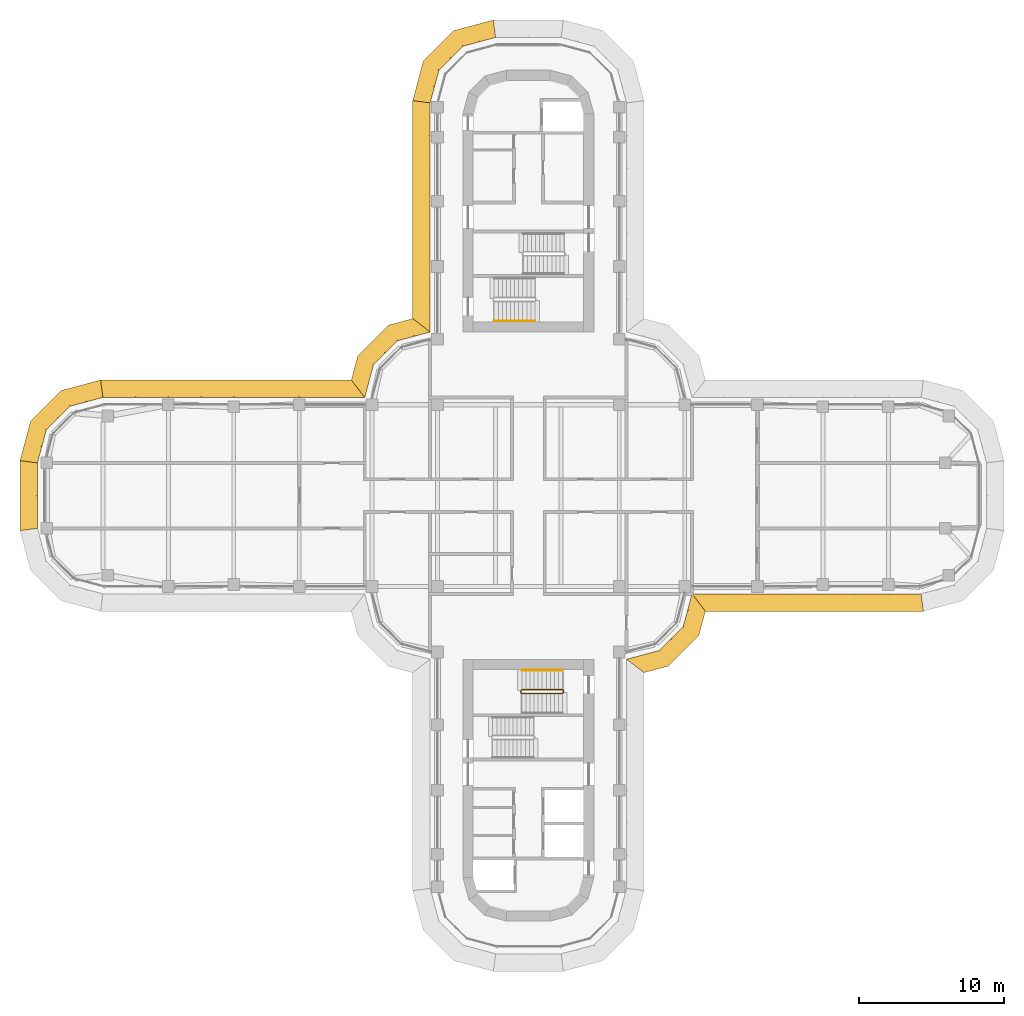
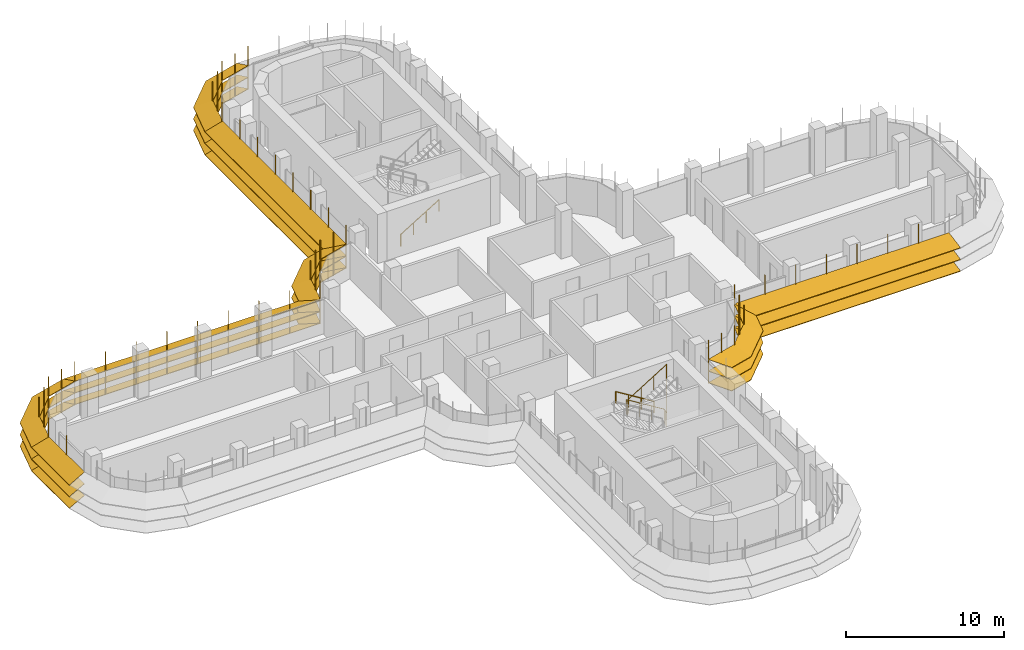
# One storey, part 17 of 19: 8 shading devices, 3 railings.
"""IFC4 building model written with IfcOpenShell, lengths in metres."""

from ifc_helpers import new_model, si_unit, direction, frame, origin, origin_2d, place, context, subcontext, project, spatial, polyline, circle, outline, extrude, faceted_brep, source, transform, mapped, material, type_object, element, save


model = new_model("IFC4")

# Units and contexts
model_context = context("Model", 3, precision=1e-05, world=origin(), true_north=direction((0.0, 1.0)))
body_context = subcontext(model_context, "Body", "Model", "MODEL_VIEW")
ifc_project = project(units=[si_unit("LENGTHUNIT", "METRE"), si_unit("AREAUNIT", "SQUARE_METRE"), si_unit("VOLUMEUNIT", "CUBIC_METRE"), si_unit("PLANEANGLEUNIT", "RADIAN"), si_unit("MASSUNIT", "GRAM", prefix="KILO")], contexts=[model_context])

# Site, building, storey
site_placement = place(None, origin())
site = spatial("IfcSite", under=ifc_project, at=site_placement, CompositionType="ELEMENT")
building_placement = place(site_placement, origin())
building = spatial("IfcBuilding", under=site, at=building_placement, Name="Zarbagh Exchange Tower", CompositionType="ELEMENT")
storey_placement = place(building_placement, frame((0.0, 0.0, 171.39990234375)))
storey = spatial("IfcBuildingStorey", under=building, at=storey_placement, Name="L41", CompositionType="ELEMENT", Elevation=171.39990234375)

# Railings
ifc_material_1 = material(Name="Stainless steel", Category="steel")
railing_type_1 = type_object("IfcRailingType", Name="Stair guard 1100 mm", PredefinedType="GUARDRAIL", material=ifc_material_1)
railing_1_placement = place(storey_placement, frame((-0.5, -13.39990234375, 1.900146484375)))
element("IfcRailing", 1, at=railing_1_placement, inside=storey, type_object=railing_type_1, Name="ST4 stair guard 1", PredefinedType="GUARDRAIL", context=body_context, shape_type="SweptSolid", body=[
    extrude(circle(Radius=0.02392578125, at=origin_2d()), frame((0.0, 0.0, 1.076171875), z_axis=(0.0, -1.0, 0.0), x_axis=(1.0, 0.0, 0.0)), (0.0, 0.0, 1.0), 0.150146484375),
    extrude(circle(Radius=0.02392578125, at=origin_2d()), frame((0.0, -0.150146484375, 1.076171875), z_axis=(0.268277960024, -0.268277960024, 0.925231793839), x_axis=(0.707106781187, 0.707106781187, 0.0)), (0.0, 0.0, 1.0), 0.1865234375),
    extrude(circle(Radius=0.02392578125, at=origin_2d()), frame((0.050048828125, -0.2001953125, 1.24853515625), z_axis=(0.851089632645, 0.0, 0.525020415988), x_axis=(0.0, 1.0, 0.0)), (0.0, 0.0, 1.0), 3.2900390625),
    extrude(circle(Radius=0.02392578125, at=origin_2d()), frame((2.85009765625, -0.2001953125, 2.97607421875), z_axis=(0.013104066473, 0.013168302093, -0.99982742474), x_axis=(-0.708833529934, 0.705375805398, 0.0)), (0.0, 0.0, 1.0), 3.80078125),
    extrude(circle(Radius=0.02392578125, at=origin_2d()), frame((2.89990234375, -0.150146484375, -0.82421875), z_axis=(0.0, 1.0, 0.0), x_axis=(-1.0, 0.0, 0.0)), (0.0, 0.0, 1.0), 0.150146484375),
    extrude(circle(Radius=0.02392578125, at=origin_2d()), frame((2.89990234375, 0.0, -0.82421875), z_axis=(-0.266832911964, 0.266832911964, 0.926067165051), x_axis=(-0.707106781187, -0.707106781187, 0.0)), (0.0, 0.0, 1.0), 0.186767578125),
    extrude(circle(Radius=0.02392578125, at=origin_2d()), frame((2.85009765625, 0.0498046875, -0.6513671875), z_axis=(-0.851089632645, 0.0, 0.525020415988), x_axis=(0.0, -1.0, 0.0)), (0.0, 0.0, 1.0), 3.2900390625),
    extrude(circle(Radius=0.02099609375, at=origin_2d()), origin(), (0.0, 0.0, 1.0), 1.052001953125),
    extrude(circle(Radius=0.02099609375, at=origin_2d()), frame((0.0, -0.150146484375, 0.0)), (0.0, 0.0, 1.0), 1.052001953125),
    extrude(circle(Radius=0.02099609375, at=origin_2d()), frame((0.050048828125, -0.2001953125, 0.172607421875)), (0.0, 0.0, 1.0), 1.052001953125),
    extrude(circle(Radius=0.02099609375, at=origin_2d()), frame((0.9833984375, -0.2001953125, 0.748291015625)), (0.0, 0.0, 1.0), 1.052001953125),
    extrude(circle(Radius=0.02099609375, at=origin_2d()), frame((1.916748046875, -0.2001953125, 1.32421875)), (0.0, 0.0, 1.0), 1.052001953125),
    extrude(circle(Radius=0.02099609375, at=origin_2d()), frame((2.85009765625, -0.2001953125, 1.89990234375)), (0.0, 0.0, 1.0), 1.052001953125),
    extrude(circle(Radius=0.02099609375, at=origin_2d()), frame((2.862548828125, -0.187744140625, 0.949951171875)), (0.0, 0.0, 1.0), 1.052001953125),
    extrude(circle(Radius=0.02099609375, at=origin_2d()), frame((2.875, -0.17529296875, 0.0)), (0.0, 0.0, 1.0), 1.052001953125),
    extrude(circle(Radius=0.02099609375, at=origin_2d()), frame((2.887451171875, -0.16259765625, -0.9501953125)), (0.0, 0.0, 1.0), 1.052001953125),
    extrude(circle(Radius=0.02099609375, at=origin_2d()), frame((2.89990234375, -0.150146484375, -1.900146484375)), (0.0, 0.0, 1.0), 1.052001953125),
    extrude(circle(Radius=0.02099609375, at=origin_2d()), frame((2.89990234375, 0.0, -1.900146484375)), (0.0, 0.0, 1.0), 1.052001953125),
    extrude(circle(Radius=0.02099609375, at=origin_2d()), frame((2.85009765625, 0.0498046875, -1.727294921875)), (0.0, 0.0, 1.0), 1.052001953125),
    extrude(circle(Radius=0.02099609375, at=origin_2d()), frame((1.916748046875, 0.0498046875, -1.151611328125)), (0.0, 0.0, 1.0), 1.052001953125),
    extrude(circle(Radius=0.02099609375, at=origin_2d()), frame((0.9833984375, 0.0498046875, -0.57568359375)), (0.0, 0.0, 1.0), 1.052001953125),
    extrude(circle(Radius=0.02099609375, at=origin_2d()), frame((0.050048828125, 0.0498046875, 0.0)), (0.0, 0.0, 1.0), 1.052001953125),
])
railing_type_2 = type_object("IfcRailingType", Name="Stair handrail 900 mm", PredefinedType="HANDRAIL", material=ifc_material_1)
railing_2_placement = place(storey_placement, frame((-2.35009765625, 12.0, 0.1728515625)))
element("IfcRailing", 2, at=railing_2_placement, inside=storey, type_object=railing_type_2, Name="ST2 stair handrail 1", PredefinedType="HANDRAIL", context=body_context, shape_type="SweptSolid", body=[
    extrude(circle(Radius=0.02392578125, at=origin_2d()), frame((0.0, 0.0, 0.8759765625), z_axis=(0.851089632645, 0.0, 0.525020415988), x_axis=(0.0, 1.0, 0.0)), (0.0, 0.0, 1.0), 3.2900390625),
    extrude(circle(Radius=0.02099609375, at=origin_2d()), origin(), (0.0, 0.0, 1.0), 0.851806640625),
    extrude(circle(Radius=0.02099609375, at=origin_2d()), frame((0.933349609375, 0.0, 0.57568359375)), (0.0, 0.0, 1.0), 0.851806640625),
    extrude(circle(Radius=0.02099609375, at=origin_2d()), frame((1.86669921875, 0.0, 1.151611328125)), (0.0, 0.0, 1.0), 0.851806640625),
    extrude(circle(Radius=0.02099609375, at=origin_2d()), frame((2.800048828125, 0.0, 1.727294921875)), (0.0, 0.0, 1.0), 0.851806640625),
])
railing_3_placement = place(storey_placement, frame((2.35009765625, -12.0, 0.1728515625)))
element("IfcRailing", 3, at=railing_3_placement, inside=storey, type_object=railing_type_2, Name="ST4 stair handrail 1", PredefinedType="HANDRAIL", context=body_context, shape_type="SweptSolid", body=[
    extrude(circle(Radius=0.02392578125, at=origin_2d()), frame((0.0, 0.0, 0.8759765625), z_axis=(-0.851089632645, 0.0, 0.525020415988), x_axis=(0.0, -1.0, 0.0)), (0.0, 0.0, 1.0), 3.2900390625),
    extrude(circle(Radius=0.02099609375, at=origin_2d()), origin(), (0.0, 0.0, 1.0), 0.851806640625),
    extrude(circle(Radius=0.02099609375, at=origin_2d()), frame((-0.933349609375, 0.0, 0.57568359375)), (0.0, 0.0, 1.0), 0.851806640625),
    extrude(circle(Radius=0.02099609375, at=origin_2d()), frame((-1.86669921875, 0.0, 1.151611328125)), (0.0, 0.0, 1.0), 0.851806640625),
    extrude(circle(Radius=0.02099609375, at=origin_2d()), frame((-2.800048828125, 0.0, 1.727294921875)), (0.0, 0.0, 1.0), 0.851806640625),
])

# Shading devices
ifc_material_2 = material(Name="Anodised aluminium blades and brackets", Category="aluminium")
shading_device_type = type_object("IfcShadingDeviceType", Name="SUNSHADE louvre band, 22.5 degree blades", PredefinedType="JALOUSIE", material=ifc_material_2)
shared_shape_1 = source(origin(), body_context, "Body", "Brep", [
    faceted_brep([(0.0, 0.0, 0.0), (0.0, 0.0, -0.043212890625), (-0.157958984375, -1.199951171875, -0.540283203125), (-0.157958984375, -1.199951171875, -0.4970703125), (2.65087890625, -1.199951171875, -0.4970703125), (2.65087890625, -1.199951171875, -0.540283203125), (2.329345703125, 0.0, -0.043212890625), (2.329345703125, 0.0, 0.0)], [[[0, 1, 2, 3]], [[4, 5, 6, 7]], [[0, 7, 6, 1]], [[1, 6, 5, 2]], [[2, 5, 4, 3]], [[3, 4, 7, 0]]]),
])
shared_shape_2 = source(origin(), body_context, "Body", "Brep", [
    faceted_brep([(0.0, 0.0, 0.0), (0.0, 0.0, -0.043212890625), (-0.321533203125, -1.199951171875, -0.540283203125), (-0.321533203125, -1.199951171875, -0.4970703125), (2.65087890625, -1.199951171875, -0.4970703125), (2.65087890625, -1.199951171875, -0.540283203125), (2.329345703125, 0.0, -0.043212890625), (2.329345703125, 0.0, 0.0)], [[[0, 1, 2, 3]], [[4, 5, 6, 7]], [[0, 7, 6, 1]], [[1, 6, 5, 2]], [[2, 5, 4, 3]], [[3, 4, 7, 0]]]),
])
shared_shape_3 = source(origin(), body_context, "Body", "Brep", [
    faceted_brep([(0.0, 0.0, 0.0), (0.0, 0.0, -0.043212890625), (-0.321533203125, -1.199951171875, -0.540283203125), (-0.321533203125, -1.199951171875, -0.4970703125), (2.4873046875, -1.199951171875, -0.4970703125), (2.4873046875, -1.199951171875, -0.540283203125), (2.329345703125, 0.0, -0.043212890625), (2.329345703125, 0.0, 0.0)], [[[0, 1, 2, 3]], [[4, 5, 6, 7]], [[0, 7, 6, 1]], [[1, 6, 5, 2]], [[2, 5, 4, 3]], [[3, 4, 7, 0]]]),
])
shared_shape_4 = source(origin(), body_context, "Body", "SweptSolid", [
    extrude(outline(polyline([(0.0, -0.012451171875), (0.06005859375, -0.012451171875), (0.06005859375, 0.012451171875), (0.0, 0.012451171875), (0.0, -0.012451171875)])), origin(), (0.0, 0.0, 1.0), 3.353271484375),
])
placement = place(storey_placement, origin())
element("IfcShadingDevice", 4, at=placement, inside=storey, type_object=shading_device_type, Name="SS28 sunshade band", PredefinedType="JALOUSIE", context=body_context, shape_type="MappedRepresentation", body=[
    mapped(shared_shape_1, transform((-2.25, 31.5, 2.300048828125), x_axis=(-0.965924289636, -0.258824779902, 0.0), y_axis=(0.258824779902, -0.965924289636, 0.0), z_axis=(0.0, 0.0, 1.0))),
    mapped(shared_shape_1, transform((-2.25, 31.5, 1.400146484375), x_axis=(-0.965924289636, -0.258824779902, 0.0), y_axis=(0.258824779902, -0.965924289636, 0.0), z_axis=(0.0, 0.0, 1.0))),
    mapped(shared_shape_1, transform((-2.25, 31.5, 0.5), x_axis=(-0.965924289636, -0.258824779902, 0.0), y_axis=(0.258824779902, -0.965924289636, 0.0), z_axis=(0.0, 0.0, 1.0))),
    mapped(shared_shape_2, transform((-4.5, 30.897216796875, 2.300048828125), x_axis=(-0.707106781187, -0.707106781187, 0.0), y_axis=(0.707106781187, -0.707106781187, 0.0), z_axis=(0.0, 0.0, 1.0))),
    mapped(shared_shape_2, transform((-4.5, 30.897216796875, 1.400146484375), x_axis=(-0.707106781187, -0.707106781187, 0.0), y_axis=(0.707106781187, -0.707106781187, 0.0), z_axis=(0.0, 0.0, 1.0))),
    mapped(shared_shape_2, transform((-4.5, 30.897216796875, 0.5), x_axis=(-0.707106781187, -0.707106781187, 0.0), y_axis=(0.707106781187, -0.707106781187, 0.0), z_axis=(0.0, 0.0, 1.0))),
    mapped(shared_shape_3, transform((-6.147216796875, 29.25, 2.300048828125), x_axis=(-0.258824779902, -0.965924289636, 0.0), y_axis=(0.965924289636, -0.258824779902, 0.0), z_axis=(0.0, 0.0, 1.0))),
    mapped(shared_shape_3, transform((-6.147216796875, 29.25, 1.400146484375), x_axis=(-0.258824779902, -0.965924289636, 0.0), y_axis=(0.965924289636, -0.258824779902, 0.0), z_axis=(0.0, 0.0, 1.0))),
    mapped(shared_shape_3, transform((-6.147216796875, 29.25, 0.5), x_axis=(-0.258824779902, -0.965924289636, 0.0), y_axis=(0.965924289636, -0.258824779902, 0.0), z_axis=(0.0, 0.0, 1.0))),
    mapped(shared_shape_4, transform((-2.25, 31.5, 0.4267578125), x_axis=(-0.130529263012, 0.991444457092, 0.0), y_axis=(-0.991444457092, -0.130529263012, 0.0), z_axis=(0.0, 0.0, 1.0))),
    mapped(shared_shape_4, transform((-3.375, 31.198486328125, 0.4267578125), x_axis=(-0.258825058029, 0.96592421511, 0.0), y_axis=(-0.96592421511, -0.258825058029, 0.0), z_axis=(0.0, 0.0, 1.0))),
    mapped(shared_shape_4, transform((-4.5, 30.897216796875, 0.4267578125), x_axis=(-0.50000275701, 0.866023812018, 0.0), y_axis=(-0.866023812018, -0.50000275701, 0.0), z_axis=(0.0, 0.0, 1.0))),
    mapped(shared_shape_4, transform((-5.323486328125, 30.073486328125, 0.4267578125), x_axis=(-0.707106781187, 0.707106781187, 0.0), y_axis=(-0.707106781187, -0.707106781187, 0.0), z_axis=(0.0, 0.0, 1.0))),
    mapped(shared_shape_4, transform((-6.147216796875, 29.25, 0.4267578125), x_axis=(-0.866023812018, 0.50000275701, 0.0), y_axis=(-0.50000275701, -0.866023812018, 0.0), z_axis=(0.0, 0.0, 1.0))),
    mapped(shared_shape_4, transform((-6.448486328125, 28.125, 0.4267578125), x_axis=(-0.96592421511, 0.258825058029, 0.0), y_axis=(-0.258825058029, -0.96592421511, 0.0), z_axis=(0.0, 0.0, 1.0))),
])
element("IfcShadingDevice", 5, at=placement, inside=storey, type_object=shading_device_type, Name="SS17 sunshade band", PredefinedType="JALOUSIE", context=body_context, shape_type="MappedRepresentation", body=[
    mapped(shared_shape_1, transform((-29.25, 6.75, 2.300048828125), x_axis=(-0.965924289636, -0.258824779902, 0.0), y_axis=(0.258824779902, -0.965924289636, 0.0), z_axis=(0.0, 0.0, 1.0))),
    mapped(shared_shape_1, transform((-29.25, 6.75, 1.400146484375), x_axis=(-0.965924289636, -0.258824779902, 0.0), y_axis=(0.258824779902, -0.965924289636, 0.0), z_axis=(0.0, 0.0, 1.0))),
    mapped(shared_shape_1, transform((-29.25, 6.75, 0.5), x_axis=(-0.965924289636, -0.258824779902, 0.0), y_axis=(0.258824779902, -0.965924289636, 0.0), z_axis=(0.0, 0.0, 1.0))),
    mapped(shared_shape_2, transform((-31.5, 6.147216796875, 2.300048828125), x_axis=(-0.707106781187, -0.707106781187, 0.0), y_axis=(0.707106781187, -0.707106781187, 0.0), z_axis=(0.0, 0.0, 1.0))),
    mapped(shared_shape_2, transform((-31.5, 6.147216796875, 1.400146484375), x_axis=(-0.707106781187, -0.707106781187, 0.0), y_axis=(0.707106781187, -0.707106781187, 0.0), z_axis=(0.0, 0.0, 1.0))),
    mapped(shared_shape_2, transform((-31.5, 6.147216796875, 0.5), x_axis=(-0.707106781187, -0.707106781187, 0.0), y_axis=(0.707106781187, -0.707106781187, 0.0), z_axis=(0.0, 0.0, 1.0))),
    mapped(shared_shape_3, transform((-33.147216796875, 4.5, 2.300048828125), x_axis=(-0.258824779902, -0.965924289636, 0.0), y_axis=(0.965924289636, -0.258824779902, 0.0), z_axis=(0.0, 0.0, 1.0))),
    mapped(shared_shape_3, transform((-33.147216796875, 4.5, 1.400146484375), x_axis=(-0.258824779902, -0.965924289636, 0.0), y_axis=(0.965924289636, -0.258824779902, 0.0), z_axis=(0.0, 0.0, 1.0))),
    mapped(shared_shape_3, transform((-33.147216796875, 4.5, 0.5), x_axis=(-0.258824779902, -0.965924289636, 0.0), y_axis=(0.965924289636, -0.258824779902, 0.0), z_axis=(0.0, 0.0, 1.0))),
    mapped(shared_shape_4, transform((-29.25, 6.75, 0.4267578125), x_axis=(-0.130529263012, 0.991444457092, 0.0), y_axis=(-0.991444457092, -0.130529263012, 0.0), z_axis=(0.0, 0.0, 1.0))),
    mapped(shared_shape_4, transform((-30.375, 6.448486328125, 0.4267578125), x_axis=(-0.258825058029, 0.96592421511, 0.0), y_axis=(-0.96592421511, -0.258825058029, 0.0), z_axis=(0.0, 0.0, 1.0))),
    mapped(shared_shape_4, transform((-31.5, 6.147216796875, 0.4267578125), x_axis=(-0.50000275701, 0.866023812018, 0.0), y_axis=(-0.866023812018, -0.50000275701, 0.0), z_axis=(0.0, 0.0, 1.0))),
    mapped(shared_shape_4, transform((-32.323486328125, 5.323486328125, 0.4267578125), x_axis=(-0.707106781187, 0.707106781187, 0.0), y_axis=(-0.707106781187, -0.707106781187, 0.0), z_axis=(0.0, 0.0, 1.0))),
    mapped(shared_shape_4, transform((-33.147216796875, 4.5, 0.4267578125), x_axis=(-0.866023812018, 0.50000275701, 0.0), y_axis=(-0.50000275701, -0.866023812018, 0.0), z_axis=(0.0, 0.0, 1.0))),
    mapped(shared_shape_4, transform((-33.448486328125, 3.375, 0.4267578125), x_axis=(-0.96592421511, 0.258825058029, 0.0), y_axis=(-0.258825058029, -0.96592421511, 0.0), z_axis=(0.0, 0.0, 1.0))),
])
shared_shape_5 = source(origin(), body_context, "Body", "Brep", [
    faceted_brep([(0.0, 0.0, 0.0), (0.0, 0.0, -0.043212890625), (0.9208984375, -1.199951171875, -0.540283203125), (0.9208984375, -1.199951171875, -0.4970703125), (2.65087890625, -1.199951171875, -0.4970703125), (2.65087890625, -1.199951171875, -0.540283203125), (2.329345703125, 0.0, -0.043212890625), (2.329345703125, 0.0, 0.0)], [[[0, 1, 2, 3]], [[4, 5, 6, 7]], [[0, 7, 6, 1]], [[1, 6, 5, 2]], [[2, 5, 4, 3]], [[3, 4, 7, 0]]]),
])
shared_shape_6 = source(origin(), body_context, "Body", "Brep", [
    faceted_brep([(0.0, 0.0, 0.0), (0.0, 0.0, -0.043212890625), (-0.321533203125, -1.199951171875, -0.540283203125), (-0.321533203125, -1.199951171875, -0.4970703125), (1.40869140625, -1.199951171875, -0.4970703125), (1.40869140625, -1.199951171875, -0.540283203125), (2.329345703125, 0.0, -0.043212890625), (2.329345703125, 0.0, 0.0)], [[[0, 1, 2, 3]], [[4, 5, 6, 7]], [[0, 7, 6, 1]], [[1, 6, 5, 2]], [[2, 5, 4, 3]], [[3, 4, 7, 0]]]),
])
element("IfcShadingDevice", 6, at=placement, inside=storey, type_object=shading_device_type, Name="SS03 sunshade band", PredefinedType="JALOUSIE", context=body_context, shape_type="MappedRepresentation", body=[
    mapped(shared_shape_5, transform((6.75, -11.25, 2.300048828125), x_axis=(0.965924289636, 0.258824779902, 0.0), y_axis=(-0.258824779902, 0.965924289636, 0.0), z_axis=(0.0, 0.0, 1.0))),
    mapped(shared_shape_5, transform((6.75, -11.25, 1.400146484375), x_axis=(0.965924289636, 0.258824779902, 0.0), y_axis=(-0.258824779902, 0.965924289636, 0.0), z_axis=(0.0, 0.0, 1.0))),
    mapped(shared_shape_5, transform((6.75, -11.25, 0.5), x_axis=(0.965924289636, 0.258824779902, 0.0), y_axis=(-0.258824779902, 0.965924289636, 0.0), z_axis=(0.0, 0.0, 1.0))),
    mapped(shared_shape_2, transform((9.0, -10.647216796875, 2.300048828125), x_axis=(0.707106781187, 0.707106781187, 0.0), y_axis=(-0.707106781187, 0.707106781187, 0.0), z_axis=(0.0, 0.0, 1.0))),
    mapped(shared_shape_2, transform((9.0, -10.647216796875, 1.400146484375), x_axis=(0.707106781187, 0.707106781187, 0.0), y_axis=(-0.707106781187, 0.707106781187, 0.0), z_axis=(0.0, 0.0, 1.0))),
    mapped(shared_shape_2, transform((9.0, -10.647216796875, 0.5), x_axis=(0.707106781187, 0.707106781187, 0.0), y_axis=(-0.707106781187, 0.707106781187, 0.0), z_axis=(0.0, 0.0, 1.0))),
    mapped(shared_shape_6, transform((10.647216796875, -9.0, 2.300048828125), x_axis=(0.258824779902, 0.965924289636, 0.0), y_axis=(-0.965924289636, 0.258824779902, 0.0), z_axis=(0.0, 0.0, 1.0))),
    mapped(shared_shape_6, transform((10.647216796875, -9.0, 1.400146484375), x_axis=(0.258824779902, 0.965924289636, 0.0), y_axis=(-0.965924289636, 0.258824779902, 0.0), z_axis=(0.0, 0.0, 1.0))),
    mapped(shared_shape_6, transform((10.647216796875, -9.0, 0.5), x_axis=(0.258824779902, 0.965924289636, 0.0), y_axis=(-0.965924289636, 0.258824779902, 0.0), z_axis=(0.0, 0.0, 1.0))),
    mapped(shared_shape_4, transform((6.75, -11.25, 0.4267578125), x_axis=(0.793355287, -0.608758892, 0.0), y_axis=(0.608758892, 0.793355287, 0.0), z_axis=(0.0, 0.0, 1.0))),
    mapped(shared_shape_4, transform((7.875, -10.948486328125, 0.4267578125), x_axis=(0.258825058029, -0.96592421511, 0.0), y_axis=(0.96592421511, 0.258825058029, 0.0), z_axis=(0.0, 0.0, 1.0))),
    mapped(shared_shape_4, transform((9.0, -10.647216796875, 0.4267578125), x_axis=(0.50000275701, -0.866023812018, 0.0), y_axis=(0.866023812018, 0.50000275701, 0.0), z_axis=(0.0, 0.0, 1.0))),
    mapped(shared_shape_4, transform((9.823486328125, -9.823486328125, 0.4267578125), x_axis=(0.707106781187, -0.707106781187, 0.0), y_axis=(0.707106781187, 0.707106781187, 0.0), z_axis=(0.0, 0.0, 1.0))),
    mapped(shared_shape_4, transform((10.647216796875, -9.0, 0.4267578125), x_axis=(0.866023812018, -0.50000275701, 0.0), y_axis=(0.50000275701, 0.866023812018, 0.0), z_axis=(0.0, 0.0, 1.0))),
    mapped(shared_shape_4, transform((10.948486328125, -7.875, 0.4267578125), x_axis=(0.96592421511, -0.258825058029, 0.0), y_axis=(0.258825058029, 0.96592421511, 0.0), z_axis=(0.0, 0.0, 1.0))),
])
element("IfcShadingDevice", 7, at=placement, inside=storey, type_object=shading_device_type, Name="SS15 sunshade band", PredefinedType="JALOUSIE", context=body_context, shape_type="MappedRepresentation", body=[
    mapped(shared_shape_5, transform((-6.75, 11.25, 2.300048828125), x_axis=(-0.965924289636, -0.258824779902, 0.0), y_axis=(0.258824779902, -0.965924289636, 0.0), z_axis=(0.0, 0.0, 1.0))),
    mapped(shared_shape_5, transform((-6.75, 11.25, 1.400146484375), x_axis=(-0.965924289636, -0.258824779902, 0.0), y_axis=(0.258824779902, -0.965924289636, 0.0), z_axis=(0.0, 0.0, 1.0))),
    mapped(shared_shape_5, transform((-6.75, 11.25, 0.5), x_axis=(-0.965924289636, -0.258824779902, 0.0), y_axis=(0.258824779902, -0.965924289636, 0.0), z_axis=(0.0, 0.0, 1.0))),
    mapped(shared_shape_2, transform((-9.0, 10.647216796875, 2.300048828125), x_axis=(-0.707106781187, -0.707106781187, 0.0), y_axis=(0.707106781187, -0.707106781187, 0.0), z_axis=(0.0, 0.0, 1.0))),
    mapped(shared_shape_2, transform((-9.0, 10.647216796875, 1.400146484375), x_axis=(-0.707106781187, -0.707106781187, 0.0), y_axis=(0.707106781187, -0.707106781187, 0.0), z_axis=(0.0, 0.0, 1.0))),
    mapped(shared_shape_2, transform((-9.0, 10.647216796875, 0.5), x_axis=(-0.707106781187, -0.707106781187, 0.0), y_axis=(0.707106781187, -0.707106781187, 0.0), z_axis=(0.0, 0.0, 1.0))),
    mapped(shared_shape_6, transform((-10.647216796875, 9.0, 2.300048828125), x_axis=(-0.258824779902, -0.965924289636, 0.0), y_axis=(0.965924289636, -0.258824779902, 0.0), z_axis=(0.0, 0.0, 1.0))),
    mapped(shared_shape_6, transform((-10.647216796875, 9.0, 1.400146484375), x_axis=(-0.258824779902, -0.965924289636, 0.0), y_axis=(0.965924289636, -0.258824779902, 0.0), z_axis=(0.0, 0.0, 1.0))),
    mapped(shared_shape_6, transform((-10.647216796875, 9.0, 0.5), x_axis=(-0.258824779902, -0.965924289636, 0.0), y_axis=(0.965924289636, -0.258824779902, 0.0), z_axis=(0.0, 0.0, 1.0))),
    mapped(shared_shape_4, transform((-6.75, 11.25, 0.4267578125), x_axis=(-0.793355287, 0.608758892, 0.0), y_axis=(-0.608758892, -0.793355287, 0.0), z_axis=(0.0, 0.0, 1.0))),
    mapped(shared_shape_4, transform((-7.875, 10.948486328125, 0.4267578125), x_axis=(-0.258825058029, 0.96592421511, 0.0), y_axis=(-0.96592421511, -0.258825058029, 0.0), z_axis=(0.0, 0.0, 1.0))),
    mapped(shared_shape_4, transform((-9.0, 10.647216796875, 0.4267578125), x_axis=(-0.50000275701, 0.866023812018, 0.0), y_axis=(-0.866023812018, -0.50000275701, 0.0), z_axis=(0.0, 0.0, 1.0))),
    mapped(shared_shape_4, transform((-9.823486328125, 9.823486328125, 0.4267578125), x_axis=(-0.707106781187, 0.707106781187, 0.0), y_axis=(-0.707106781187, -0.707106781187, 0.0), z_axis=(0.0, 0.0, 1.0))),
    mapped(shared_shape_4, transform((-10.647216796875, 9.0, 0.4267578125), x_axis=(-0.866023812018, 0.50000275701, 0.0), y_axis=(-0.50000275701, -0.866023812018, 0.0), z_axis=(0.0, 0.0, 1.0))),
    mapped(shared_shape_4, transform((-10.948486328125, 7.875, 0.4267578125), x_axis=(-0.96592421511, 0.258825058029, 0.0), y_axis=(-0.258825058029, -0.96592421511, 0.0), z_axis=(0.0, 0.0, 1.0))),
])
shared_shape_7 = source(origin(), body_context, "Body", "Brep", [
    faceted_brep([(0.0, 0.0, 0.0), (0.0, 0.0, -0.043212890625), (0.9208984375, -1.199951171875, -0.540283203125), (0.9208984375, -1.199951171875, -0.4970703125), (15.907958984375, -1.199951171875, -0.4970703125), (15.907958984375, -1.199951171875, -0.540283203125), (15.75, 0.0, -0.043212890625), (15.75, 0.0, 0.0)], [[[0, 1, 2, 3]], [[4, 5, 6, 7]], [[0, 7, 6, 1]], [[1, 6, 5, 2]], [[2, 5, 4, 3]], [[3, 4, 7, 0]]]),
])
element("IfcShadingDevice", 8, at=placement, inside=storey, type_object=shading_device_type, Name="SS30 sunshade band", PredefinedType="JALOUSIE", context=body_context, shape_type="MappedRepresentation", body=[
    mapped(shared_shape_7, transform((11.25, -6.75, 2.300048828125), x_axis=(1.0, 0.0, 0.0), y_axis=(0.0, 1.0, 0.0), z_axis=(0.0, 0.0, 1.0))),
    mapped(shared_shape_7, transform((11.25, -6.75, 1.400146484375), x_axis=(1.0, 0.0, 0.0), y_axis=(0.0, 1.0, 0.0), z_axis=(0.0, 0.0, 1.0))),
    mapped(shared_shape_7, transform((11.25, -6.75, 0.5), x_axis=(1.0, 0.0, 0.0), y_axis=(0.0, 1.0, 0.0), z_axis=(0.0, 0.0, 1.0))),
    mapped(shared_shape_4, transform((11.25, -6.75, 0.4267578125), x_axis=(0.608758892, -0.793355287, 0.0), y_axis=(0.793355287, 0.608758892, 0.0), z_axis=(0.0, 0.0, 1.0))),
    mapped(shared_shape_4, transform((13.5, -6.75, 0.4267578125), x_axis=(0.0, -1.0, 0.0), y_axis=(1.0, 0.0, 0.0), z_axis=(0.0, 0.0, 1.0))),
    mapped(shared_shape_4, transform((15.75, -6.75, 0.4267578125), x_axis=(0.0, -1.0, 0.0), y_axis=(1.0, 0.0, 0.0), z_axis=(0.0, 0.0, 1.0))),
    mapped(shared_shape_4, transform((18.0, -6.75, 0.4267578125), x_axis=(0.0, -1.0, 0.0), y_axis=(1.0, 0.0, 0.0), z_axis=(0.0, 0.0, 1.0))),
    mapped(shared_shape_4, transform((20.25, -6.75, 0.4267578125), x_axis=(0.0, -1.0, 0.0), y_axis=(1.0, 0.0, 0.0), z_axis=(0.0, 0.0, 1.0))),
    mapped(shared_shape_4, transform((22.5, -6.75, 0.4267578125), x_axis=(0.0, -1.0, 0.0), y_axis=(1.0, 0.0, 0.0), z_axis=(0.0, 0.0, 1.0))),
    mapped(shared_shape_4, transform((24.75, -6.75, 0.4267578125), x_axis=(0.0, -1.0, 0.0), y_axis=(1.0, 0.0, 0.0), z_axis=(0.0, 0.0, 1.0))),
])
shared_shape_8 = source(origin(), body_context, "Body", "Brep", [
    faceted_brep([(0.0, 0.0, 0.0), (0.0, 0.0, -0.043212890625), (-0.157958984375, -1.199951171875, -0.540283203125), (-0.157958984375, -1.199951171875, -0.4970703125), (14.8291015625, -1.199951171875, -0.4970703125), (14.8291015625, -1.199951171875, -0.540283203125), (15.75, 0.0, -0.043212890625), (15.75, 0.0, 0.0)], [[[0, 1, 2, 3]], [[4, 5, 6, 7]], [[0, 7, 6, 1]], [[1, 6, 5, 2]], [[2, 5, 4, 3]], [[3, 4, 7, 0]]]),
])
element("IfcShadingDevice", 9, at=placement, inside=storey, type_object=shading_device_type, Name="SS29 sunshade band", PredefinedType="JALOUSIE", context=body_context, shape_type="MappedRepresentation", body=[
    mapped(shared_shape_8, transform((-6.75, 27.0, 2.300048828125), x_axis=(0.0, -1.0, 0.0), y_axis=(1.0, 0.0, 0.0), z_axis=(0.0, 0.0, 1.0))),
    mapped(shared_shape_8, transform((-6.75, 27.0, 1.400146484375), x_axis=(0.0, -1.0, 0.0), y_axis=(1.0, 0.0, 0.0), z_axis=(0.0, 0.0, 1.0))),
    mapped(shared_shape_8, transform((-6.75, 27.0, 0.5), x_axis=(0.0, -1.0, 0.0), y_axis=(1.0, 0.0, 0.0), z_axis=(0.0, 0.0, 1.0))),
    mapped(shared_shape_4, transform((-6.75, 27.0, 0.4267578125), x_axis=(-0.991444457092, 0.130529263012, 0.0), y_axis=(-0.130529263012, -0.991444457092, 0.0), z_axis=(0.0, 0.0, 1.0))),
    mapped(shared_shape_4, transform((-6.75, 24.75, 0.4267578125), x_axis=(-1.0, 0.0, 0.0), y_axis=(0.0, -1.0, 0.0), z_axis=(0.0, 0.0, 1.0))),
    mapped(shared_shape_4, transform((-6.75, 22.5, 0.4267578125), x_axis=(-1.0, 0.0, 0.0), y_axis=(0.0, -1.0, 0.0), z_axis=(0.0, 0.0, 1.0))),
    mapped(shared_shape_4, transform((-6.75, 20.25, 0.4267578125), x_axis=(-1.0, 0.0, 0.0), y_axis=(0.0, -1.0, 0.0), z_axis=(0.0, 0.0, 1.0))),
    mapped(shared_shape_4, transform((-6.75, 18.0, 0.4267578125), x_axis=(-1.0, 0.0, 0.0), y_axis=(0.0, -1.0, 0.0), z_axis=(0.0, 0.0, 1.0))),
    mapped(shared_shape_4, transform((-6.75, 15.75, 0.4267578125), x_axis=(-1.0, 0.0, 0.0), y_axis=(0.0, -1.0, 0.0), z_axis=(0.0, 0.0, 1.0))),
    mapped(shared_shape_4, transform((-6.75, 13.5, 0.4267578125), x_axis=(-1.0, 0.0, 0.0), y_axis=(0.0, -1.0, 0.0), z_axis=(0.0, 0.0, 1.0))),
])
shared_shape_9 = source(origin(), body_context, "Body", "Brep", [
    faceted_brep([(0.0, 0.0, 0.0), (0.0, 0.0, -0.043212890625), (0.9208984375, -1.199951171875, -0.540283203125), (0.9208984375, -1.199951171875, -0.4970703125), (18.157958984375, -1.199951171875, -0.4970703125), (18.157958984375, -1.199951171875, -0.540283203125), (18.0, 0.0, -0.043212890625), (18.0, 0.0, 0.0)], [[[0, 1, 2, 3]], [[4, 5, 6, 7]], [[0, 7, 6, 1]], [[1, 6, 5, 2]], [[2, 5, 4, 3]], [[3, 4, 7, 0]]]),
])
element("IfcShadingDevice", 10, at=placement, inside=storey, type_object=shading_device_type, Name="SS16 sunshade band", PredefinedType="JALOUSIE", context=body_context, shape_type="MappedRepresentation", body=[
    mapped(shared_shape_9, transform((-11.25, 6.75, 2.300048828125), x_axis=(-1.0, 0.0, 0.0), y_axis=(0.0, -1.0, 0.0), z_axis=(0.0, 0.0, 1.0))),
    mapped(shared_shape_9, transform((-11.25, 6.75, 1.400146484375), x_axis=(-1.0, 0.0, 0.0), y_axis=(0.0, -1.0, 0.0), z_axis=(0.0, 0.0, 1.0))),
    mapped(shared_shape_9, transform((-11.25, 6.75, 0.5), x_axis=(-1.0, 0.0, 0.0), y_axis=(0.0, -1.0, 0.0), z_axis=(0.0, 0.0, 1.0))),
    mapped(shared_shape_4, transform((-11.25, 6.75, 0.4267578125), x_axis=(-0.608758892, 0.793355287, 0.0), y_axis=(-0.793355287, -0.608758892, 0.0), z_axis=(0.0, 0.0, 1.0))),
    mapped(shared_shape_4, transform((-13.5, 6.75, 0.4267578125), x_axis=(0.0, 1.0, 0.0), y_axis=(-1.0, 0.0, 0.0), z_axis=(0.0, 0.0, 1.0))),
    mapped(shared_shape_4, transform((-15.75, 6.75, 0.4267578125), x_axis=(0.0, 1.0, 0.0), y_axis=(-1.0, 0.0, 0.0), z_axis=(0.0, 0.0, 1.0))),
    mapped(shared_shape_4, transform((-18.0, 6.75, 0.4267578125), x_axis=(0.0, 1.0, 0.0), y_axis=(-1.0, 0.0, 0.0), z_axis=(0.0, 0.0, 1.0))),
    mapped(shared_shape_4, transform((-20.25, 6.75, 0.4267578125), x_axis=(0.0, 1.0, 0.0), y_axis=(-1.0, 0.0, 0.0), z_axis=(0.0, 0.0, 1.0))),
    mapped(shared_shape_4, transform((-22.5, 6.75, 0.4267578125), x_axis=(0.0, 1.0, 0.0), y_axis=(-1.0, 0.0, 0.0), z_axis=(0.0, 0.0, 1.0))),
    mapped(shared_shape_4, transform((-24.75, 6.75, 0.4267578125), x_axis=(0.0, 1.0, 0.0), y_axis=(-1.0, 0.0, 0.0), z_axis=(0.0, 0.0, 1.0))),
    mapped(shared_shape_4, transform((-27.0, 6.75, 0.4267578125), x_axis=(0.0, 1.0, 0.0), y_axis=(-1.0, 0.0, 0.0), z_axis=(0.0, 0.0, 1.0))),
])
shared_shape_10 = source(origin(), body_context, "Body", "Brep", [
    faceted_brep([(0.0, 0.0, 0.0), (0.0, 0.0, -0.043212890625), (-0.157958984375, -1.199951171875, -0.540283203125), (-0.157958984375, -1.199951171875, -0.4970703125), (4.657958984375, -1.199951171875, -0.4970703125), (4.657958984375, -1.199951171875, -0.540283203125), (4.5, 0.0, -0.043212890625), (4.5, 0.0, 0.0)], [[[0, 1, 2, 3]], [[4, 5, 6, 7]], [[0, 7, 6, 1]], [[1, 6, 5, 2]], [[2, 5, 4, 3]], [[3, 4, 7, 0]]]),
])
element("IfcShadingDevice", 11, at=placement, inside=storey, type_object=shading_device_type, Name="SS18 sunshade band", PredefinedType="JALOUSIE", context=body_context, shape_type="MappedRepresentation", body=[
    mapped(shared_shape_10, transform((-33.75, 2.25, 2.300048828125), x_axis=(0.0, -1.0, 0.0), y_axis=(1.0, 0.0, 0.0), z_axis=(0.0, 0.0, 1.0))),
    mapped(shared_shape_10, transform((-33.75, 2.25, 1.400146484375), x_axis=(0.0, -1.0, 0.0), y_axis=(1.0, 0.0, 0.0), z_axis=(0.0, 0.0, 1.0))),
    mapped(shared_shape_10, transform((-33.75, 2.25, 0.5), x_axis=(0.0, -1.0, 0.0), y_axis=(1.0, 0.0, 0.0), z_axis=(0.0, 0.0, 1.0))),
    mapped(shared_shape_4, transform((-33.75, 2.25, 0.4267578125), x_axis=(-0.991444457092, 0.130529263012, 0.0), y_axis=(-0.130529263012, -0.991444457092, 0.0), z_axis=(0.0, 0.0, 1.0))),
    mapped(shared_shape_4, transform((-33.75, 0.0, 0.4267578125), x_axis=(-1.0, 0.0, 0.0), y_axis=(0.0, -1.0, 0.0), z_axis=(0.0, 0.0, 1.0))),
])

save(model, "model.ifc")
